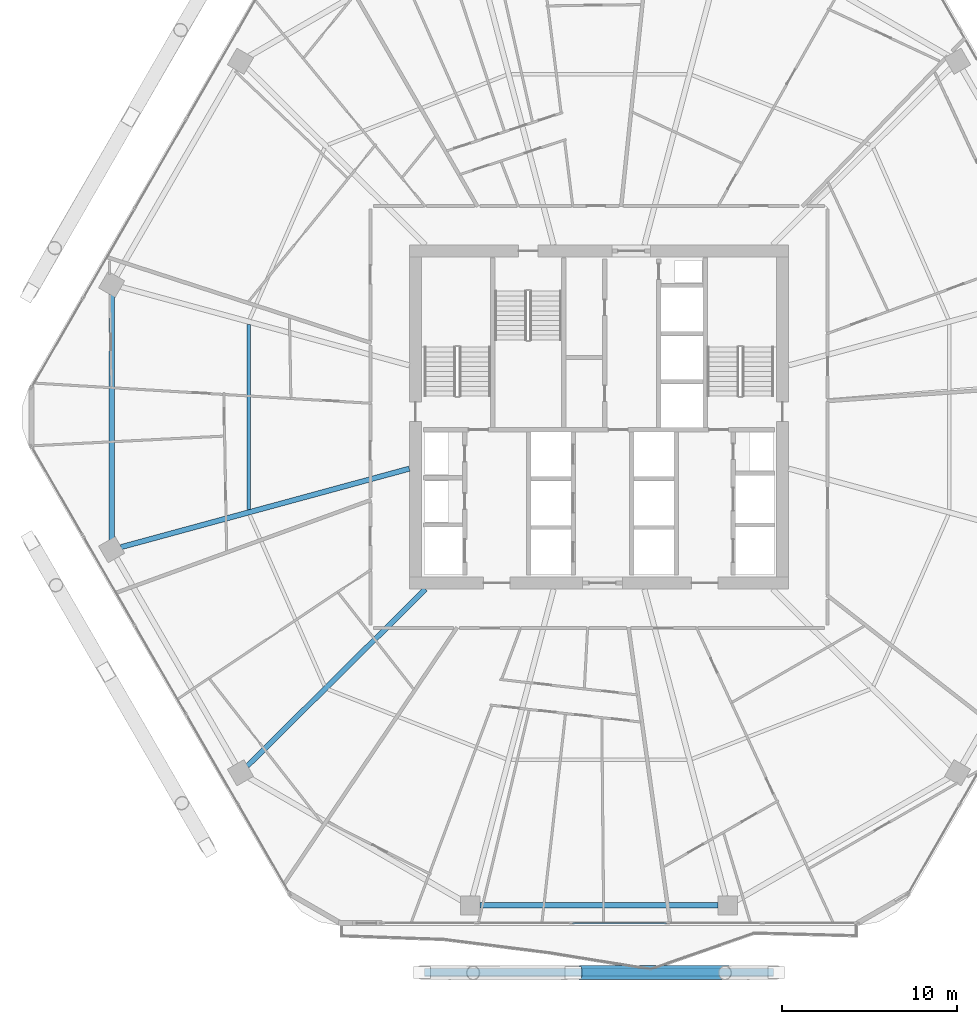
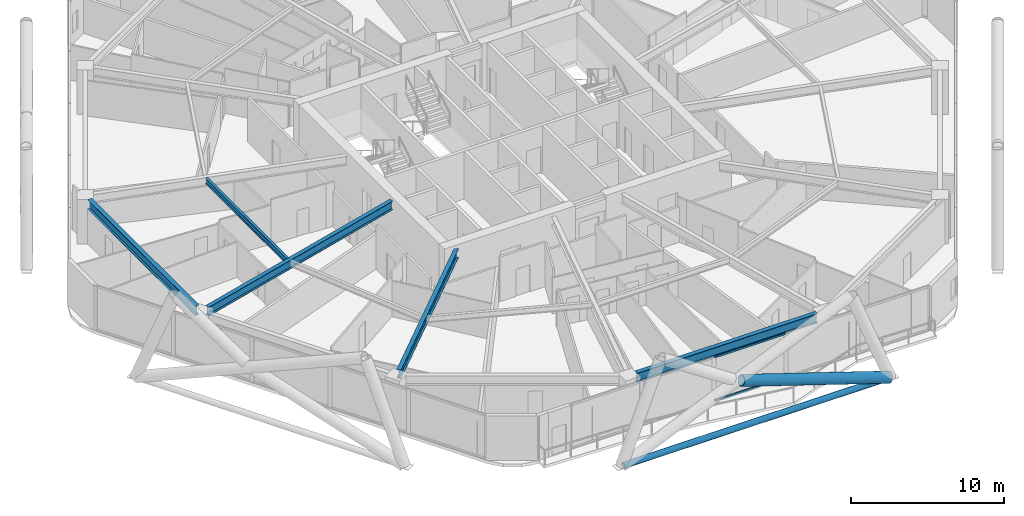
# One storey, part 7 of 35: 5 beams, 4 members, 1 element without a shape of its own.
"""IFC4 building model written with IfcOpenShell, lengths in metres."""

from ifc_helpers import new_model, si_unit, direction, frame, origin, origin_2d, place, context, subcontext, project, spatial, hollow_rectangle, hollow_circle, i_section, extrude, material, material_profile, profile_set, type_object, element, aggregate, save


model = new_model("IFC4")

# Units and contexts
model_context = context("Model", 3, precision=1e-05, world=origin(), true_north=direction((0.0, 1.0)))
body_context = subcontext(model_context, "Body", "Model", "MODEL_VIEW")
ifc_project = project(units=[si_unit("LENGTHUNIT", "METRE"), si_unit("AREAUNIT", "SQUARE_METRE"), si_unit("VOLUMEUNIT", "CUBIC_METRE"), si_unit("PLANEANGLEUNIT", "RADIAN"), si_unit("MASSUNIT", "GRAM", prefix="KILO")], contexts=[model_context])

# Site, building, storey
site_placement = place(None, origin())
site = spatial("IfcSite", under=ifc_project, at=site_placement, CompositionType="ELEMENT")
building_placement = place(site_placement, origin())
building = spatial("IfcBuilding", under=site, at=building_placement, Name="Zuhravey Tower", CompositionType="ELEMENT")
storey_placement = place(building_placement, frame((0.0, 0.0, 92.39990234375)))
storey = spatial("IfcBuildingStorey", under=building, at=storey_placement, Name="L22", CompositionType="ELEMENT", Elevation=92.39990234375)

# Curtain wall, members
ifc_material_1 = material(Name="Thermally broken anodised aluminium", Category="aluminium")
curtain_wall_type = type_object("IfcCurtainWallType", Name="Zone 1-2 Residential Curtain Wall CW3", PredefinedType="NOTDEFINED", material=ifc_material_1)
curtain_wall_placement = place(storey_placement, origin())
curtain_wall = element("IfcCurtainWall", 1, at=curtain_wall_placement, inside=storey, type_object=curtain_wall_type, Name="L22 CW3 CW-L22-F5-1", PredefinedType="NOTDEFINED")
ifc_material_2 = material(Name="Anodised aluminium", Category="aluminium")
ifc_material_profile_1 = material_profile(ifc_material_2, hollow_rectangle(XDim=0.090087890625, YDim=0.14990234375, WallThickness=0.0048828125, at=origin_2d()), Name="ALU-RHS-90x150x5")
ifc_profile_set_1 = profile_set([ifc_material_profile_1], Name="Anodised aluminium")
member_type_1 = type_object("IfcMemberType", Name="Curtain-Wall Transom 90x150", PredefinedType="USERDEFINED", material=ifc_profile_set_1)
member_1_placement = place(storey_placement, frame((39.85498046875, 3.04150390625, 0.045166015625), z_axis=(-1.0, 0.0, 0.0), x_axis=(0.0, -1.0, 0.0)))
member_1 = element("IfcMember", 2, at=member_1_placement, type_object=member_type_1, Name="CW3 transom 3.1", ObjectType="TRANSOM", PredefinedType="USERDEFINED", context=body_context, shape_type="SweptSolid", body=[
    extrude(hollow_rectangle(XDim=0.090087890625, YDim=0.14990234375, WallThickness=0.0048828125, at=origin_2d()), origin(), (0.0, 0.0, 1.0), 5.35986328125),
])
member_2_placement = place(storey_placement, frame((39.85498046875, 3.04150390625, 3.505126953125), z_axis=(-1.0, 0.0, 0.0), x_axis=(0.0, -1.0, 0.0)))
member_2 = element("IfcMember", 3, at=member_2_placement, type_object=member_type_1, Name="CW3 transom 3.2", ObjectType="TRANSOM", PredefinedType="USERDEFINED", context=body_context, shape_type="SweptSolid", body=[
    extrude(hollow_rectangle(XDim=0.090087890625, YDim=0.14990234375, WallThickness=0.0048828125, at=origin_2d()), origin(), (0.0, 0.0, 1.0), 5.35986328125),
])
aggregate(curtain_wall, [member_1, member_2])

# Members
ifc_material_3 = material(Name="Steel SM355", Category="steel")
ifc_material_profile_2 = material_profile(ifc_material_3, hollow_circle(Radius=0.228515625, WallThickness=0.02197265625, at=origin_2d()), Name="CHS-457.2x22")
ifc_profile_set_2 = profile_set([ifc_material_profile_2], Name="Steel SM355")
member_type_2 = type_object("IfcMemberType", Name="Exoskeleton Ring Tie CHS457x22", PredefinedType="CHORD", material=ifc_profile_set_2)
member_3_placement = place(storey_placement, frame((26.003173828125, 0.221435546875, -0.4638671875), z_axis=(1.0, 0.0, 0.0), x_axis=(0.0, 1.0, 0.0)))
element("IfcMember", 4, at=member_3_placement, inside=storey, type_object=member_type_2, Name="L22 Exoskeleton Face 5 Tie EXR1", PredefinedType="CHORD", context=body_context, shape_type="SweptSolid", body=[
    extrude(hollow_circle(Radius=0.228515625, WallThickness=0.02197265625, at=origin_2d()), origin(), (0.0, 0.0, 1.0), 19.99365234375),
])
ifc_material_4 = material(Name="Steel SM460", Category="steel")
ifc_material_profile_3 = material_profile(ifc_material_4, hollow_circle(Radius=0.406494140625, WallThickness=0.035888671875, at=origin_2d()), Name="CHS-812.8x36")
ifc_profile_set_3 = profile_set([ifc_material_profile_3], Name="Steel SM460")
member_type_3 = type_object("IfcMemberType", Name="Exoskeleton Zone 1 Diagrid CHS813x36", PredefinedType="BRACE", material=ifc_profile_set_3)
member_4_placement = place(storey_placement, frame((46.084716796875, 0.221435546875, -0.44677734375), z_axis=(-0.950378901463, -0.001224527859, 0.311092340286), x_axis=(0.001288461729, -0.999999169933, 0.0)))
element("IfcMember", 5, at=member_4_placement, inside=storey, type_object=member_type_3, Name="L22 Face 5 Split Diagrid Brace 3A", PredefinedType="BRACE", context=body_context, shape_type="SweptSolid", body=[
    extrude(hollow_circle(Radius=0.406494140625, WallThickness=0.035888671875, at=origin_2d()), origin(), (0.0, 0.0, 1.0), 11.76318359375),
])

# Beams
ifc_material_profile_4 = material_profile(ifc_material_3, i_section(OverallWidth=0.320068359375, OverallDepth=0.75, WebThickness=0.013916015625, FlangeThickness=0.02490234375, at=origin_2d()), Name="H-750x320x14x25")
ifc_profile_set_4 = profile_set([ifc_material_profile_4], Name="Steel SM355")
beam_type_1 = type_object("IfcBeamType", Name="Perimeter Ring Beam H750x320", PredefinedType="BEAM", material=ifc_profile_set_4)
beam_1_placement = place(storey_placement, frame((8.11083984375, 39.03857421875, 3.175048828125), z_axis=(0.0, -1.0, 0.0), x_axis=(1.0, 0.0, 0.0)))
element("IfcBeam", 6, at=beam_1_placement, inside=storey, type_object=beam_type_1, Name="L22 PB1 BM-L22-PB-06", PredefinedType="BEAM", context=body_context, shape_type="SweptSolid", body=[
    extrude(i_section(OverallWidth=0.320068359375, OverallDepth=0.75, WebThickness=0.013916015625, FlangeThickness=0.02490234375, at=origin_2d()), origin(), (0.0, 0.0, 1.0), 14.0771484375),
])
beam_2_placement = place(storey_placement, frame((29.18310546875, 4.051513671875, 3.175048828125), z_axis=(1.0, 0.0, 0.0), x_axis=(0.0, 1.0, 0.0)))
element("IfcBeam", 7, at=beam_2_placement, inside=storey, type_object=beam_type_1, Name="L22 PB1 BM-L22-PB-09", PredefinedType="BEAM", context=body_context, shape_type="SweptSolid", body=[
    extrude(i_section(OverallWidth=0.320068359375, OverallDepth=0.75, WebThickness=0.013916015625, FlangeThickness=0.02490234375, at=origin_2d()), origin(), (0.0, 0.0, 1.0), 13.6337890625),
])
ifc_material_profile_5 = material_profile(ifc_material_3, i_section(OverallWidth=0.300048828125, OverallDepth=0.699951171875, WebThickness=0.012939453125, FlangeThickness=0.02392578125, at=origin_2d()), Name="H-700x300x13x24")
ifc_profile_set_5 = profile_set([ifc_material_profile_5], Name="Steel SM355")
beam_type_2 = type_object("IfcBeamType", Name="Radial Primary Girder H700x300", PredefinedType="BEAM", material=ifc_profile_set_5)
beam_3_placement = place(storey_placement, frame((25.14697265625, 29.045654296875, 3.2001953125), z_axis=(-0.964893166225, -0.262642680791, 0.0), x_axis=(0.262642680791, -0.964893166225, 0.0)))
element("IfcBeam", 8, at=beam_3_placement, inside=storey, type_object=beam_type_2, Name="L22 RG1 BM-L22-RAD-07", PredefinedType="BEAM", context=body_context, shape_type="SweptSolid", body=[
    extrude(i_section(OverallWidth=0.300048828125, OverallDepth=0.699951171875, WebThickness=0.012939453125, FlangeThickness=0.02392578125, at=origin_2d()), origin(), (0.0, 0.0, 1.0), 17.102783203125),
])
beam_4_placement = place(storey_placement, frame((26.068603515625, 22.14697265625, 3.2001953125), z_axis=(-0.709906230344, -0.704296204816, 0.0), x_axis=(0.704296204816, -0.709906230344, 0.0)))
element("IfcBeam", 9, at=beam_4_placement, inside=storey, type_object=beam_type_2, Name="L22 RG1 BM-L22-RAD-08", PredefinedType="BEAM", context=body_context, shape_type="SweptSolid", body=[
    extrude(i_section(OverallWidth=0.300048828125, OverallDepth=0.699951171875, WebThickness=0.012939453125, FlangeThickness=0.02392578125, at=origin_2d()), origin(), (0.0, 0.0, 1.0), 14.361083984375),
])
ifc_material_profile_6 = material_profile(ifc_material_3, i_section(OverallWidth=0.199951171875, OverallDepth=0.449951171875, WebThickness=0.009033203125, FlangeThickness=0.013916015625, at=origin_2d()), Name="H-450x200x9x14")
ifc_profile_set_6 = profile_set([ifc_material_profile_6], Name="Steel SM355")
beam_type_3 = type_object("IfcBeamType", Name="Secondary Floor Joist H450x200", PredefinedType="JOIST", material=ifc_profile_set_6)
beam_5_placement = place(storey_placement, frame((15.947509765625, 37.304443359375, 3.3251953125), z_axis=(0.0, -1.0, 0.0), x_axis=(1.0, 0.0, 0.0)))
element("IfcBeam", 10, at=beam_5_placement, inside=storey, type_object=beam_type_3, Name="L22 SJ1 BM-L22-SJ-06-1", PredefinedType="JOIST", context=body_context, shape_type="SweptSolid", body=[
    extrude(i_section(OverallWidth=0.199951171875, OverallDepth=0.449951171875, WebThickness=0.009033203125, FlangeThickness=0.013916015625, at=origin_2d()), origin(), (0.0, 0.0, 1.0), 10.60888671875),
])

save(model, "model.ifc")
